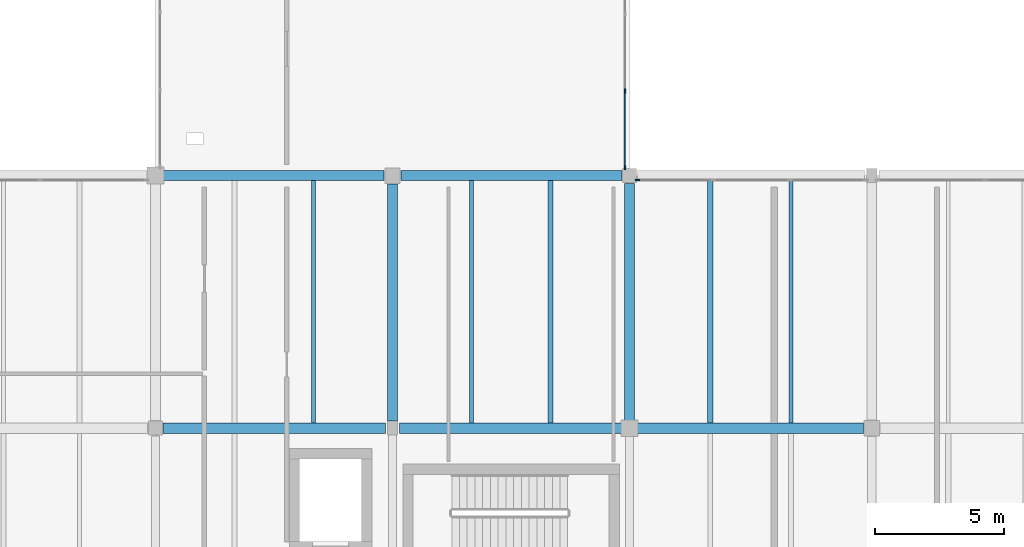
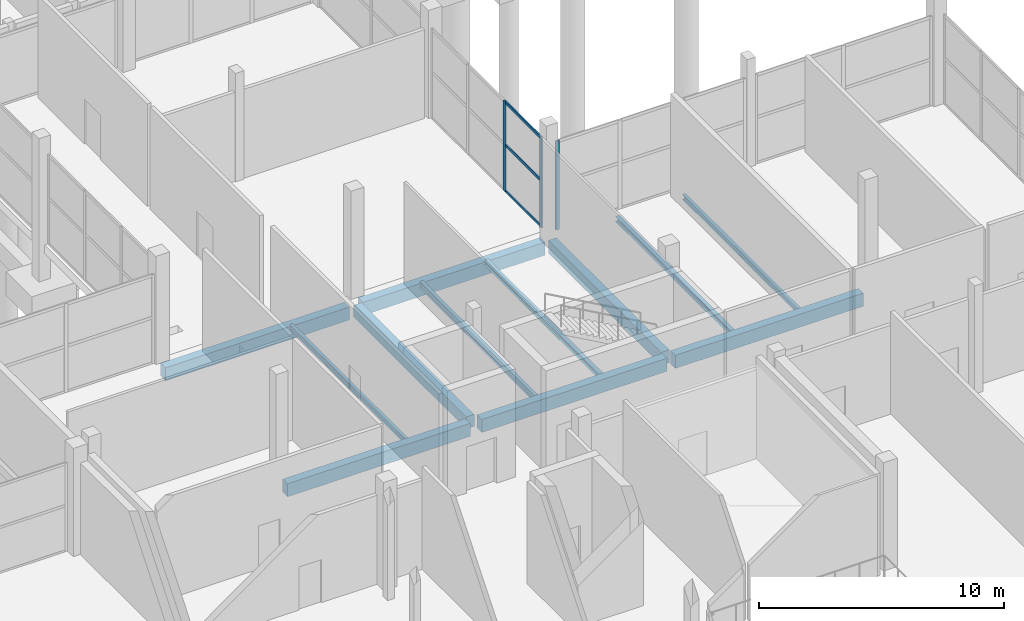
# One storey, part 42 of 88: 12 beams, 6 members, 2 elements without a shape of their own.
"""IFC4 building model written with IfcOpenShell, lengths in metres."""

import ifcopenshell
import ifcopenshell.guid

model = None  # the IFC model being written
_history = None  # IfcOwnerHistory: only IFC2X3 demands one
_inside = {}  # id of a spatial element -> (the spatial element, [elements in it])
_under = {}  # id of a project, library or spatial element -> (it, [spatial elements below it])
_declared = {}  # id of a project -> (the project, [libraries it declares])
_typed = {}  # id of a type object -> (the type object, [elements of that type])
_made_of = {}  # id of a material, layer set ... -> (it, [elements and type objects made of it])


def new_model(schema):
    """Start an empty IFC model of exactly this schema.

    Asked for "IFC4X3", IfcOpenShell would pick the latest addendum, in which some entities
    have other attributes; the version numbers below select the first issue.
    IFC2X3 requires an IfcOwnerHistory on every rooted entity: one is made here for all.
    """
    global model, _history
    if schema == "IFC4X3":
        model = ifcopenshell.file(schema_version=(4, 3, 0, 0))
    else:
        model = ifcopenshell.file(schema=schema)
    _inside.clear()
    _under.clear()
    _declared.clear()
    _typed.clear()
    _made_of.clear()
    _history = None
    if model.schema == "IFC2X3":
        org = make("IfcOrganization", Name="unknown")
        user = make(
            "IfcPersonAndOrganization",
            ThePerson=make("IfcPerson", FamilyName="unknown"),
            TheOrganization=org,
        )
        app = make(
            "IfcApplication",
            ApplicationDeveloper=org,
            Version="unknown",
            ApplicationFullName="unknown",
            ApplicationIdentifier="unknown",
        )
        _history = make(
            "IfcOwnerHistory",
            OwningUser=user,
            OwningApplication=app,
            ChangeAction="ADDED",
            CreationDate=0,
        )
    return model


def make(cls, **values):
    """One entity of the class cls with the attributes given. An attribute that is None is left unset."""
    return model.create_entity(
        cls, **{name: value for name, value in values.items() if value is not None}
    )


def rooted(cls, **values):
    """An entity with a GlobalId (a new one), such as an element, a storey or a relation."""
    return make(cls, GlobalId=ifcopenshell.guid.new(), OwnerHistory=_history, **values)


def si_unit(unit_type, name, prefix=None):
    """IfcSIUnit, for example si_unit("LENGTHUNIT", "METRE", prefix="MILLI")."""
    return make("IfcSIUnit", UnitType=unit_type, Prefix=prefix, Name=name)


def assignment(units):
    """IfcUnitAssignment: the units of a project."""
    return None if units is None else make("IfcUnitAssignment", Units=units)


def point(xyz):
    """IfcCartesianPoint."""
    return None if xyz is None else make("IfcCartesianPoint", Coordinates=xyz)


def direction(xyz):
    """IfcDirection."""
    return None if xyz is None else make("IfcDirection", DirectionRatios=xyz)


def frame(location, z_axis=None, x_axis=None):
    """IfcAxis2Placement3D, a coordinate frame: its origin and axes. An axis left out is left unset."""
    return make(
        "IfcAxis2Placement3D",
        Location=point(location),
        Axis=direction(z_axis),
        RefDirection=direction(x_axis),
    )


def frame_2d(location, x_axis=None):
    """IfcAxis2Placement2D, a coordinate frame in the plane: its origin and x axis."""
    return make(
        "IfcAxis2Placement2D", Location=point(location), RefDirection=direction(x_axis)
    )


def origin():
    """The frame at (0, 0, 0) with its axes left unset."""
    return frame((0.0, 0.0, 0.0))


def origin_2d():
    """The frame at (0, 0) in the plane with its x axis left unset."""
    return frame_2d((0.0, 0.0))


def place(relative_to, where):
    """IfcLocalPlacement: puts the frame where relative to a parent placement (None: the world)."""
    return make(
        "IfcLocalPlacement", PlacementRelTo=relative_to, RelativePlacement=where
    )


def context(
    kind, dimensions, precision=None, world=None, true_north=None, identifier=None
):
    """IfcGeometricRepresentationContext, for example the 3D "Model" context."""
    return make(
        "IfcGeometricRepresentationContext",
        ContextIdentifier=identifier,
        ContextType=kind,
        CoordinateSpaceDimension=dimensions,
        Precision=precision,
        WorldCoordinateSystem=world,
        TrueNorth=true_north,
    )


def subcontext(parent, identifier, kind, view, scale=None):
    """IfcGeometricRepresentationSubContext, for example "Body" below "Model"."""
    return make(
        "IfcGeometricRepresentationSubContext",
        ContextIdentifier=identifier,
        ContextType=kind,
        ParentContext=parent,
        TargetScale=scale,
        TargetView=view,
    )


def project(units=None, contexts=None):
    """IfcProject with its units and contexts."""
    return rooted(
        "IfcProject",
        Name="project",
        RepresentationContexts=contexts,
        UnitsInContext=assignment(units),
    )


def spatial(cls, under=None, at=None, **own):
    """A site, building, storey or space (cls), placed at a placement, below another one or the project."""
    s = rooted(cls, ObjectPlacement=at, **own)
    if under is not None:
        _under.setdefault(under.id(), (under, []))[1].append(s)
    return s


def profile(cls, at=None, kind="AREA", **sizes):
    """A parametric profile (cls). Its sizes go by their IFC names, for example OverallWidth=200.0."""
    return make(cls, ProfileType=kind, Position=at, **sizes)


def rectangle(**sizes):
    """IfcRectangleProfileDef."""
    return profile("IfcRectangleProfileDef", **sizes)


def i_section(**sizes):
    """IfcIShapeProfileDef."""
    return profile("IfcIShapeProfileDef", **sizes)


def extrude(swept, where, along, depth):
    """IfcExtrudedAreaSolid: the profile swept, set in the frame where, extruded along a direction by depth."""
    return make(
        "IfcExtrudedAreaSolid",
        SweptArea=swept,
        Position=where,
        ExtrudedDirection=direction(along),
        Depth=depth,
    )


def shape(context_of_items, identifier, shape_type, items):
    """IfcShapeRepresentation: the items that make up one representation, for example the "Body"."""
    return make(
        "IfcShapeRepresentation",
        ContextOfItems=context_of_items,
        RepresentationIdentifier=identifier,
        RepresentationType=shape_type,
        Items=items,
    )


def material(Name=None, Category=None):
    """IfcMaterial."""
    return make("IfcMaterial", Name=Name, Category=Category)


def layer(
    of_material, thickness, ventilated=None, Name=None, Category=None, Priority=None
):
    """IfcMaterialLayer: one layer of a wall or slab, of a material (None: an air gap)."""
    return make(
        "IfcMaterialLayer",
        Material=of_material,
        LayerThickness=thickness,
        IsVentilated=ventilated,
        Name=Name,
        Category=Category,
        Priority=Priority,
    )


def layer_set(layers, Name=None):
    """IfcMaterialLayerSet."""
    return make("IfcMaterialLayerSet", MaterialLayers=layers, LayerSetName=Name)


def material_profile(
    of_material, cross_section, Name=None, Category=None, Priority=None
):
    """IfcMaterialProfile: a cross section and its material."""
    return make(
        "IfcMaterialProfile",
        Name=Name,
        Material=of_material,
        Profile=cross_section,
        Priority=Priority,
        Category=Category,
    )


def profile_set(profiles, Name=None, composite=None):
    """IfcMaterialProfileSet."""
    return make(
        "IfcMaterialProfileSet",
        Name=Name,
        MaterialProfiles=profiles,
        CompositeProfile=composite,
    )


def made_of(thing, what):
    """Note that an element or type object is made of a material, layer set ...; save() writes the relation."""
    if what is not None:
        _made_of.setdefault(what.id(), (what, []))[1].append(thing)
    return thing


def type_object(cls, material=None, **own):
    """A type object (cls), such as IfcWallType, which elements share."""
    return made_of(rooted(cls, **own), material)


def element(
    cls,
    number,
    at=None,
    inside=None,
    cuts=None,
    type_object=None,
    material=None,
    context=None,
    identifier="Body",
    shape_type=None,
    held_by="IfcProductDefinitionShape",
    body=None,
    shapes=None,
    **own,
):
    """One element of the class cls, such as IfcWall. Its Tag is "e" and its number.

    at: its placement. inside: the storey or other place that contains it. cuts: it is an
    opening in that element (IfcRelVoidsElement). A single representation is given by context,
    identifier, shape_type and body (its items); several are given by shapes. held_by: the class
    of the entity that holds the representations. save() writes the other relations.
    """
    e = rooted(cls, Tag="e%d" % number, ObjectPlacement=at, **own)
    if body is not None:
        shapes = [shape(context, identifier, shape_type, body)]
    if shapes is not None:
        e.Representation = make(held_by, Representations=shapes)
    if inside is not None:
        _inside.setdefault(inside.id(), (inside, []))[1].append(e)
    if cuts is not None:
        rooted(
            "IfcRelVoidsElement", RelatingBuildingElement=cuts, RelatedOpeningElement=e
        )
    if type_object is not None:
        _typed.setdefault(type_object.id(), (type_object, []))[1].append(e)
    return made_of(e, material)


def aggregate(whole, parts):
    """IfcRelAggregates: a whole, such as a stair, and the parts it consists of."""
    return rooted("IfcRelAggregates", RelatingObject=whole, RelatedObjects=parts)


def save(model, path):
    """Write the relations noted so far, then the file.

    IfcRelAggregates (storeys below a building ...), IfcRelContainedInSpatialStructure (elements
    in a storey), IfcRelDefinesByType, IfcRelAssociatesMaterial and IfcRelDeclares: one each for
    every whole, place, type object, material and project.
    """
    for whole, parts in _under.values():
        aggregate(whole, parts)
    for where, things in _inside.values():
        rooted(
            "IfcRelContainedInSpatialStructure",
            RelatedElements=things,
            RelatingStructure=where,
        )
    for kind, things in _typed.values():
        rooted("IfcRelDefinesByType", RelatedObjects=things, RelatingType=kind)
    for what, things in _made_of.values():
        rooted("IfcRelAssociatesMaterial", RelatedObjects=things, RelatingMaterial=what)
    for by, libraries in _declared.values():
        rooted("IfcRelDeclares", RelatingContext=by, RelatedDefinitions=libraries)
    model.write(path)


model = new_model("IFC4")

# Units and contexts
model_context = context("Model", 3, precision=1e-05, world=origin(), true_north=direction((0.0, 1.0)))
body_context = subcontext(model_context, "Body", "Model", "MODEL_VIEW")
ifc_project = project(units=[si_unit("LENGTHUNIT", "METRE"), si_unit("AREAUNIT", "SQUARE_METRE"), si_unit("VOLUMEUNIT", "CUBIC_METRE"), si_unit("PLANEANGLEUNIT", "RADIAN"), si_unit("MASSUNIT", "GRAM", prefix="KILO")], contexts=[model_context])

# Site, building, storey
site_placement = place(None, origin())
site = spatial("IfcSite", under=ifc_project, at=site_placement, CompositionType="ELEMENT")
building_placement = place(site_placement, origin())
building = spatial("IfcBuilding", under=site, at=building_placement, Name="Birchvale Park Specialist Clinic", CompositionType="ELEMENT")
storey_placement = place(building_placement, origin())
storey = spatial("IfcBuildingStorey", under=building, at=storey_placement, Name="L00", CompositionType="ELEMENT", Elevation=0.0)

# Beams
ifc_material_1 = material(Name="Concrete C40/50", Category="concrete")
ifc_material_profile_1 = material_profile(ifc_material_1, rectangle(XDim=0.3798828125, YDim=0.639892578125, at=origin_2d()), Name="RCB-380x640")
ifc_profile_set_1 = profile_set([ifc_material_profile_1], Name="Concrete C40/50")
beam_type_1 = type_object("IfcBeamType", Name="BM-EXT-BG5", PredefinedType="BEAM", material=ifc_profile_set_1)
beam_1_placement = place(storey_placement, frame((146.39990234375, 34.875, -0.6201171875), z_axis=(0.0, 1.0, 0.0), x_axis=(-1.0, 0.0, 0.0)))
element("IfcBeam", 1, at=beam_1_placement, inside=storey, type_object=beam_type_1, Name="V5 L00 Y girder 32", PredefinedType="BEAM", context=body_context, shape_type="SweptSolid", body=[
    extrude(rectangle(XDim=0.3798828125, YDim=0.639892578125, at=origin_2d()), origin(), (0.0, 0.0, 1.0), 9.22509765625),
])
ifc_material_profile_2 = material_profile(ifc_material_1, rectangle(XDim=0.39990234375, YDim=0.64990234375, at=origin_2d()), Name="RCB-400x650")
ifc_profile_set_2 = profile_set([ifc_material_profile_2], Name="Concrete C40/50")
beam_type_2 = type_object("IfcBeamType", Name="BM-INT-BG4", PredefinedType="BEAM", material=ifc_profile_set_2)
beam_2_placement = place(storey_placement, frame((128.300048828125, 34.60009765625, -0.625), z_axis=(1.0, 0.0, 0.0), x_axis=(0.0, 1.0, 0.0)))
element("IfcBeam", 2, at=beam_2_placement, inside=storey, type_object=beam_type_2, Name="V5 L00 X girder 12", PredefinedType="BEAM", context=body_context, shape_type="SweptSolid", body=[
    extrude(rectangle(XDim=0.39990234375, YDim=0.64990234375, at=origin_2d()), origin(), (0.0, 0.0, 1.0), 8.625),
])
beam_3_placement = place(storey_placement, frame((137.47509765625, 34.60009765625, -0.625), z_axis=(1.0, 0.0, 0.0), x_axis=(0.0, 1.0, 0.0)))
element("IfcBeam", 3, at=beam_3_placement, inside=storey, type_object=beam_type_2, Name="V5 L00 X girder 13", PredefinedType="BEAM", context=body_context, shape_type="SweptSolid", body=[
    extrude(rectangle(XDim=0.39990234375, YDim=0.64990234375, at=origin_2d()), origin(), (0.0, 0.0, 1.0), 8.724853515625),
])
beam_4_placement = place(storey_placement, frame((146.60009765625, 34.60009765625, -0.625), z_axis=(1.0, 0.0, 0.0), x_axis=(0.0, 1.0, 0.0)))
element("IfcBeam", 4, at=beam_4_placement, inside=storey, type_object=beam_type_2, Name="V5 L00 X girder 14", PredefinedType="BEAM", context=body_context, shape_type="SweptSolid", body=[
    extrude(rectangle(XDim=0.39990234375, YDim=0.64990234375, at=origin_2d()), origin(), (0.0, 0.0, 1.0), 8.875),
])
beam_5_placement = place(storey_placement, frame((128.199951171875, 44.39990234375, -0.7451171875), z_axis=(1.0, 0.0, 0.0), x_axis=(0.0, 1.0, 0.0)))
element("IfcBeam", 5, at=beam_5_placement, inside=storey, type_object=beam_type_2, Name="V5 L00 X girder 17", PredefinedType="BEAM", context=body_context, shape_type="SweptSolid", body=[
    extrude(rectangle(XDim=0.39990234375, YDim=0.64990234375, at=origin_2d()), origin(), (0.0, 0.0, 1.0), 8.675048828125),
])
beam_6_placement = place(storey_placement, frame((137.52490234375, 44.39990234375, -0.7451171875), z_axis=(1.0, 0.0, 0.0), x_axis=(0.0, 1.0, 0.0)))
element("IfcBeam", 6, at=beam_6_placement, inside=storey, type_object=beam_type_2, Name="V5 L00 X girder 18", PredefinedType="BEAM", context=body_context, shape_type="SweptSolid", body=[
    extrude(rectangle(XDim=0.39990234375, YDim=0.64990234375, at=origin_2d()), origin(), (0.0, 0.0, 1.0), 8.5751953125),
])
ifc_material_profile_3 = material_profile(ifc_material_1, rectangle(XDim=0.3798828125, YDim=0.60009765625, at=origin_2d()), Name="RCB-380x600")
ifc_profile_set_3 = profile_set([ifc_material_profile_3], Name="Concrete C40/50")
beam_type_3 = type_object("IfcBeamType", Name="BM-INT-BG5", PredefinedType="BEAM", material=ifc_profile_set_3)
beam_7_placement = place(storey_placement, frame((137.199951171875, 34.875, -0.60009765625), z_axis=(0.0, 1.0, 0.0), x_axis=(-1.0, 0.0, 0.0)))
element("IfcBeam", 7, at=beam_7_placement, inside=storey, type_object=beam_type_3, Name="V5 L00 Y girder 29", PredefinedType="BEAM", context=body_context, shape_type="SweptSolid", body=[
    extrude(rectangle(XDim=0.3798828125, YDim=0.60009765625, at=origin_2d()), origin(), (0.0, 0.0, 1.0), 9.199951171875),
])

# Curtain wall, member
ifc_material_2 = material(Name="Thermally broken anodised aluminium", Category="aluminium")
ifc_layer = layer(ifc_material_2, 0.195068359375)
ifc_layer_set = layer_set([ifc_layer], Name="Thermally broken anodised aluminium")
curtain_wall_type = type_object("IfcCurtainWallType", Name="CW-U2", PredefinedType="USERDEFINED", material=ifc_layer_set)
curtain_wall_1_placement = place(storey_placement, origin())
curtain_wall_1 = element("IfcCurtainWall", 8, at=curtain_wall_1_placement, inside=storey, type_object=curtain_wall_type, Name="V5 L00 glazed curtain wall 50", ObjectType="UNITISED", PredefinedType="USERDEFINED")
ifc_material_profile_4 = material_profile(ifc_material_2, rectangle(XDim=0.06494140625, YDim=0.179931640625, at=origin_2d()), Name="CWM-65x180")
ifc_profile_set_4 = profile_set([ifc_material_profile_4], Name="Thermally broken anodised aluminium")
member_type_1 = type_object("IfcMemberType", Name="CWM2", PredefinedType="MULLION", material=ifc_profile_set_4)
member_1_placement = place(storey_placement, frame((146.70751953125, 44.22509765625, 0.0), z_axis=(0.0, 0.0, 1.0), x_axis=(0.0, -1.0, 0.0)))
member_1 = element("IfcMember", 9, at=member_1_placement, type_object=member_type_1, Name="CW mullion 4", PredefinedType="MULLION", context=body_context, shape_type="SweptSolid", body=[
    extrude(rectangle(XDim=0.06494140625, YDim=0.179931640625, at=origin_2d()), origin(), (0.0, 0.0, 1.0), 4.43505859375),
])
aggregate(curtain_wall_1, [member_1])

# Curtain wall, members
curtain_wall_2_placement = place(storey_placement, origin())
curtain_wall_2 = element("IfcCurtainWall", 10, at=curtain_wall_2_placement, inside=storey, type_object=curtain_wall_type, Name="V5 L00 glazed curtain wall 55", ObjectType="UNITISED", PredefinedType="USERDEFINED")
member_2_placement = place(storey_placement, frame((146.22509765625, 44.70751953125, 0.0), z_axis=(0.0, 0.0, 1.0), x_axis=(-1.0, 0.0, 0.0)))
member_2 = element("IfcMember", 11, at=member_2_placement, type_object=member_type_1, Name="CW mullion 1", PredefinedType="MULLION", context=body_context, shape_type="SweptSolid", body=[
    extrude(rectangle(XDim=0.06494140625, YDim=0.179931640625, at=origin_2d()), origin(), (0.0, 0.0, 1.0), 4.485107421875),
])
member_3_placement = place(storey_placement, frame((146.22509765625, 47.675048828125, 0.0), z_axis=(0.0, 0.0, 1.0), x_axis=(-1.0, 0.0, 0.0)))
member_3 = element("IfcMember", 12, at=member_3_placement, type_object=member_type_1, Name="CW mullion 2", PredefinedType="MULLION", context=body_context, shape_type="SweptSolid", body=[
    extrude(rectangle(XDim=0.06494140625, YDim=0.179931640625, at=origin_2d()), origin(), (0.0, 0.0, 1.0), 4.485107421875),
])
ifc_material_profile_5 = material_profile(ifc_material_2, rectangle(XDim=0.06494140625, YDim=0.139892578125, at=origin_2d()), Name="CWT-65x140")
ifc_profile_set_5 = profile_set([ifc_material_profile_5], Name="Thermally broken anodised aluminium")
member_type_2 = type_object("IfcMemberType", Name="CWT2", PredefinedType="USERDEFINED", material=ifc_profile_set_5)
member_4_placement = place(storey_placement, frame((146.22509765625, 44.739990234375, 0.032470703125), z_axis=(0.0, 1.0, 0.0), x_axis=(-1.0, 0.0, 0.0)))
member_4 = element("IfcMember", 13, at=member_4_placement, type_object=member_type_2, Name="CW transom 1.1", ObjectType="TRANSOM", PredefinedType="USERDEFINED", context=body_context, shape_type="SweptSolid", body=[
    extrude(rectangle(XDim=0.06494140625, YDim=0.139892578125, at=origin_2d()), origin(), (0.0, 0.0, 1.0), 2.902587890625),
])
member_5_placement = place(storey_placement, frame((146.22509765625, 44.739990234375, 2.332275390625), z_axis=(0.0, 1.0, 0.0), x_axis=(-1.0, 0.0, 0.0)))
member_5 = element("IfcMember", 14, at=member_5_placement, type_object=member_type_2, Name="CW transom 1.2", ObjectType="TRANSOM", PredefinedType="USERDEFINED", context=body_context, shape_type="SweptSolid", body=[
    extrude(rectangle(XDim=0.06494140625, YDim=0.139892578125, at=origin_2d()), origin(), (0.0, 0.0, 1.0), 2.902587890625),
])
member_6_placement = place(storey_placement, frame((146.22509765625, 44.739990234375, 4.452392578125), z_axis=(0.0, 1.0, 0.0), x_axis=(-1.0, 0.0, 0.0)))
member_6 = element("IfcMember", 15, at=member_6_placement, type_object=member_type_2, Name="CW transom 1.3", ObjectType="TRANSOM", PredefinedType="USERDEFINED", context=body_context, shape_type="SweptSolid", body=[
    extrude(rectangle(XDim=0.06494140625, YDim=0.139892578125, at=origin_2d()), origin(), (0.0, 0.0, 1.0), 2.902587890625),
])
aggregate(curtain_wall_2, [member_2, member_3, member_4, member_5, member_6])

# Beams
ifc_material_3 = material(Name="Steel ASTM A992 Grade 50", Category="steel")
ifc_material_profile_6 = material_profile(ifc_material_3, i_section(OverallWidth=0.1669921875, OverallDepth=0.31689453125, WebThickness=0.007568359375, FlangeThickness=0.01318359375, at=origin_2d()), Name="W12X35")
ifc_profile_set_6 = profile_set([ifc_material_profile_6], Name="Steel ASTM A992 Grade 50")
beam_type_4 = type_object("IfcBeamType", Name="STL-INT-SJ3", PredefinedType="JOIST", material=ifc_profile_set_6)
beam_8_placement = place(storey_placement, frame((140.2666015625, 34.800048828125, -0.45849609375), z_axis=(0.0, 1.0, 0.0), x_axis=(-1.0, 0.0, 0.0)))
element("IfcBeam", 16, at=beam_8_placement, inside=storey, type_object=beam_type_4, Name="V5 L00 secondary floor joist 13", PredefinedType="JOIST", context=body_context, shape_type="SweptSolid", body=[
    extrude(i_section(OverallWidth=0.1669921875, OverallDepth=0.31689453125, WebThickness=0.007568359375, FlangeThickness=0.01318359375, at=origin_2d()), origin(), (0.0, 0.0, 1.0), 9.39990234375),
])
ifc_material_profile_7 = material_profile(ifc_material_3, i_section(OverallWidth=0.202880859375, OverallDepth=0.251953125, WebThickness=0.008056640625, FlangeThickness=0.013427734375, at=origin_2d()), Name="W10X39")
ifc_profile_set_7 = profile_set([ifc_material_profile_7], Name="Steel ASTM A992 Grade 50")
beam_type_5 = type_object("IfcBeamType", Name="STL-INT-SJ4", PredefinedType="JOIST", material=ifc_profile_set_7)
for number, where, z_axis, x_axis, name in (
    (17, (143.333251953125, 34.800048828125, -0.426025390625), (0.0, 1.0, 0.0), (-1.0, 0.0, 0.0), "V5 L00 secondary floor joist 14"),
    (18, (149.533203125, 34.800048828125, -0.426025390625), (0.0, 1.0, 0.0), (-1.0, 0.0, 0.0), "V5 L00 secondary floor joist 19"),
):
    element("IfcBeam", number, at=place(storey_placement, frame(where, z_axis=z_axis, x_axis=x_axis)), inside=storey, type_object=beam_type_5, Name=name, PredefinedType="JOIST", context=body_context, shape_type="SweptSolid", body=[
        extrude(i_section(OverallWidth=0.202880859375, OverallDepth=0.251953125, WebThickness=0.008056640625, FlangeThickness=0.013427734375, at=origin_2d()), origin(), (0.0, 0.0, 1.0), 9.39990234375),
    ])
ifc_material_profile_8 = material_profile(ifc_material_3, i_section(OverallWidth=0.14697265625, OverallDepth=0.261962890625, WebThickness=0.006591796875, FlangeThickness=0.01123046875, at=origin_2d()), Name="W10X26")
ifc_profile_set_8 = profile_set([ifc_material_profile_8], Name="Steel ASTM A992 Grade 50")
beam_type_6 = type_object("IfcBeamType", Name="STL-INT-SJ5", PredefinedType="JOIST", material=ifc_profile_set_8)
for number, where, z_axis, x_axis, name in (
    (19, (134.13330078125, 34.800048828125, -0.430908203125), (0.0, 1.0, 0.0), (-1.0, 0.0, 0.0), "V5 L00 secondary floor joist 10"),
    (20, (152.666748046875, 34.800048828125, -0.430908203125), (0.0, 1.0, 0.0), (-1.0, 0.0, 0.0), "V5 L00 secondary floor joist 20"),
):
    element("IfcBeam", number, at=place(storey_placement, frame(where, z_axis=z_axis, x_axis=x_axis)), inside=storey, type_object=beam_type_6, Name=name, PredefinedType="JOIST", context=body_context, shape_type="SweptSolid", body=[
        extrude(i_section(OverallWidth=0.14697265625, OverallDepth=0.261962890625, WebThickness=0.006591796875, FlangeThickness=0.01123046875, at=origin_2d()), origin(), (0.0, 0.0, 1.0), 9.39990234375),
    ])

save(model, "model.ifc")
